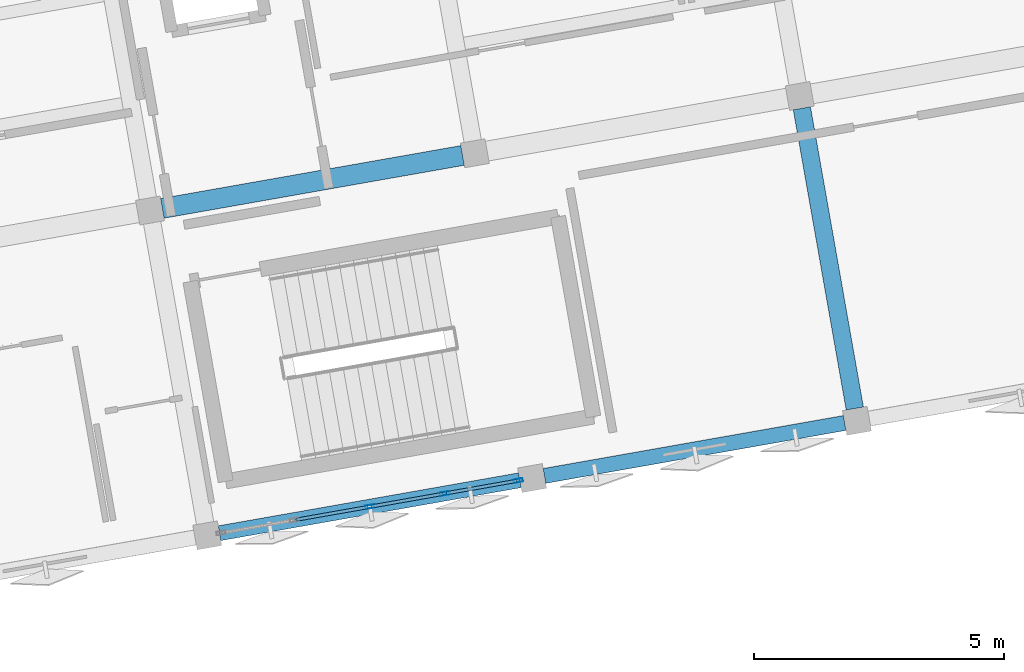
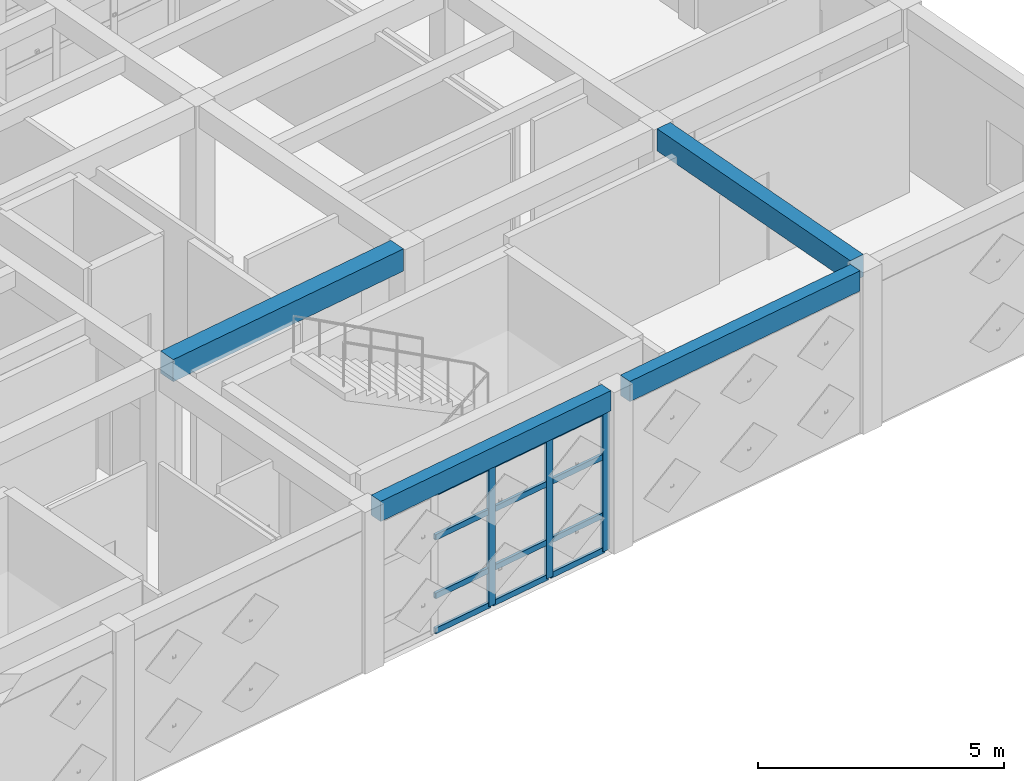
# One storey, part 4 of 15: 15 members, 4 beams, 1 element without a shape of its own.
"""IFC4 building model written with IfcOpenShell, lengths in metres."""

from ifc_helpers import new_model, si_unit, direction, frame, origin, origin_2d, place, context, subcontext, project, spatial, rectangle, hollow_rectangle, extrude, material, layer, layer_set, material_profile, profile_set, type_object, element, aggregate, save


model = new_model("IFC4")

# Units and contexts
model_context = context("Model", 3, precision=1e-05, world=origin(), true_north=direction((0.0, 1.0)))
body_context = subcontext(model_context, "Body", "Model", "MODEL_VIEW")
ifc_project = project(units=[si_unit("LENGTHUNIT", "METRE"), si_unit("AREAUNIT", "SQUARE_METRE"), si_unit("VOLUMEUNIT", "CUBIC_METRE"), si_unit("PLANEANGLEUNIT", "RADIAN"), si_unit("MASSUNIT", "GRAM", prefix="KILO")], contexts=[model_context])

# Site, building, storey
site_placement = place(None, origin())
site = spatial("IfcSite", under=ifc_project, at=site_placement, CompositionType="ELEMENT")
building_placement = place(site_placement, origin())
building = spatial("IfcBuilding", under=site, at=building_placement, Name="Kharisveld Research Institute", CompositionType="ELEMENT")
storey_placement = place(building_placement, frame((0.0, 0.0, 40.800048828125)))
storey = spatial("IfcBuildingStorey", under=building, at=storey_placement, Name="L09", CompositionType="ELEMENT", Elevation=40.800048828125)

# Beams
ifc_material_1 = material(Name="Concrete C40/50", Category="concrete")
ifc_material_profile_1 = material_profile(ifc_material_1, rectangle(XDim=0.35009765625, YDim=0.550048828125, at=origin_2d()))
ifc_profile_set_1 = profile_set([ifc_material_profile_1], Name="Concrete C40/50")
beam_type_1 = type_object("IfcBeamType", Name="BM_RC_350x550", PredefinedType="BEAM", material=ifc_profile_set_1)
beam_1_placement = place(storey_placement, frame((31.155517578125, 39.840576171875, 3.73486328125), z_axis=(-0.173659757005, 0.984805711192, 0.0), x_axis=(-0.984805711192, -0.173659757005, 0.0)))
element("IfcBeam", 1, at=beam_1_placement, inside=storey, type_object=beam_type_1, Name="BM:V1:L09:V4_0", PredefinedType="BEAM", context=body_context, shape_type="SweptSolid", body=[
    extrude(rectangle(XDim=0.35009765625, YDim=0.550048828125, at=origin_2d()), origin(), (0.0, 0.0, 1.0), 6.10009765625),
])
ifc_material_2 = material(Name="Concrete C40/50", Category="concrete")
ifc_material_profile_2 = material_profile(ifc_material_2, rectangle(XDim=0.39990234375, YDim=0.550048828125, at=origin_2d()))
ifc_profile_set_2 = profile_set([ifc_material_profile_2], Name="Concrete C40/50")
beam_type_2 = type_object("IfcBeamType", Name="BM_RC_400x550", PredefinedType="BEAM", material=ifc_profile_set_2)
beam_2_placement = place(storey_placement, frame((17.299560546875, 43.84521484375, 3.73486328125), z_axis=(0.984805711192, 0.173659757005, 0.0), x_axis=(-0.173659757005, 0.984805711192, 0.0)))
element("IfcBeam", 2, at=beam_2_placement, inside=storey, type_object=beam_type_2, Name="BM:V1:L09:U2_1", PredefinedType="BEAM", context=body_context, shape_type="SweptSolid", body=[
    extrude(rectangle(XDim=0.39990234375, YDim=0.550048828125, at=origin_2d()), origin(), (0.0, 0.0, 1.0), 6.10009765625),
])

# Curtain wall, members
ifc_material_3 = material(Name="Thermally Broken Aluminium Curtain Wall", Category="aluminium")
ifc_layer = layer(ifc_material_3, 0.159912109375)
ifc_layer_set = layer_set([ifc_layer], Name="CW_SYS_04")
curtain_wall_type = type_object("IfcCurtainWallType", Name="CW_SYS_04", PredefinedType="NOTDEFINED", material=ifc_layer_set)
curtain_wall_placement = place(storey_placement, origin())
curtain_wall = element("IfcCurtainWall", 3, at=curtain_wall_placement, inside=storey, type_object=curtain_wall_type, Name="CW:V1:L09:S3", PredefinedType="NOTDEFINED")
ifc_material_4 = material(Name="Anodised Aluminium AW-6063-T6", Category="aluminium")
ifc_material_profile_3 = material_profile(ifc_material_4, hollow_rectangle(XDim=0.070068359375, YDim=0.179931640625, WallThickness=0.00439453125, at=origin_2d()))
ifc_profile_set_3 = profile_set([ifc_material_profile_3], Name="Anodised Aluminium AW-6063-T6")
member_type_1 = type_object("IfcMemberType", Name="CW_MUL_180", PredefinedType="MULLION", material=ifc_profile_set_3)
member_1_placement = place(storey_placement, frame((24.42333984375, 38.399658203125, 0.0), z_axis=(0.0, 0.0, 1.0), x_axis=(0.173648102039, -0.984807766347, 0.0)))
member_1 = element("IfcMember", 4, at=member_1_placement, type_object=member_type_1, Name="CW-04 mullion 1", PredefinedType="MULLION", context=body_context, shape_type="SweptSolid", body=[
    extrude(hollow_rectangle(XDim=0.070068359375, YDim=0.179931640625, WallThickness=0.00439453125, at=origin_2d()), origin(), (0.0, 0.0, 1.0), 3.47998046875),
])
member_2_placement = place(storey_placement, frame((22.95361328125, 38.140380859375, 0.0), z_axis=(0.0, 0.0, 1.0), x_axis=(0.173648102039, -0.984807766347, 0.0)))
member_2 = element("IfcMember", 5, at=member_2_placement, type_object=member_type_1, Name="CW-04 mullion 2", PredefinedType="MULLION", context=body_context, shape_type="SweptSolid", body=[
    extrude(hollow_rectangle(XDim=0.070068359375, YDim=0.179931640625, WallThickness=0.00439453125, at=origin_2d()), origin(), (0.0, 0.0, 1.0), 3.47998046875),
])
member_3_placement = place(storey_placement, frame((21.44921875, 37.875244140625, 0.0), z_axis=(0.0, 0.0, 1.0), x_axis=(0.173648102039, -0.984807766347, 0.0)))
member_3 = element("IfcMember", 6, at=member_3_placement, type_object=member_type_1, Name="CW-04 mullion 3", PredefinedType="MULLION", context=body_context, shape_type="SweptSolid", body=[
    extrude(hollow_rectangle(XDim=0.070068359375, YDim=0.179931640625, WallThickness=0.00439453125, at=origin_2d()), origin(), (0.0, 0.0, 1.0), 3.47998046875),
])
ifc_material_5 = material(Name="Anodised Aluminium AW-6063-T6", Category="aluminium")
ifc_material_profile_4 = material_profile(ifc_material_5, hollow_rectangle(XDim=0.06494140625, YDim=0.139892578125, WallThickness=0.00390625, at=origin_2d()))
ifc_profile_set_4 = profile_set([ifc_material_profile_4], Name="Anodised Aluminium AW-6063-T6")
member_type_2 = type_object("IfcMemberType", Name="CW_TRN_140", PredefinedType="USERDEFINED", material=ifc_profile_set_4)
member_4_placement = place(storey_placement, frame((24.388916015625, 38.3935546875, 0.032470703125), z_axis=(-0.984800831926, -0.173687424522, 0.0), x_axis=(0.173687424522, -0.984800831926, 0.0)))
member_4 = element("IfcMember", 7, at=member_4_placement, type_object=member_type_2, Name="CW-04 transom 1.1", ObjectType="TRANSOM", PredefinedType="USERDEFINED", context=body_context, shape_type="SweptSolid", body=[
    extrude(hollow_rectangle(XDim=0.06494140625, YDim=0.139892578125, WallThickness=0.00390625, at=origin_2d()), origin(), (0.0, 0.0, 1.0), 1.422607421875),
])
member_5_placement = place(storey_placement, frame((24.388916015625, 38.3935546875, 0.89990234375), z_axis=(-0.984800831926, -0.173687424522, 0.0), x_axis=(0.173687424522, -0.984800831926, 0.0)))
member_5 = element("IfcMember", 8, at=member_5_placement, type_object=member_type_2, Name="CW-04 transom 1.2", ObjectType="TRANSOM", PredefinedType="USERDEFINED", context=body_context, shape_type="SweptSolid", body=[
    extrude(hollow_rectangle(XDim=0.06494140625, YDim=0.139892578125, WallThickness=0.00390625, at=origin_2d()), origin(), (0.0, 0.0, 1.0), 1.422607421875),
])
member_6_placement = place(storey_placement, frame((24.388916015625, 38.3935546875, 2.349853515625), z_axis=(-0.984800831926, -0.173687424522, 0.0), x_axis=(0.173687424522, -0.984800831926, 0.0)))
member_6 = element("IfcMember", 9, at=member_6_placement, type_object=member_type_2, Name="CW-04 transom 1.3", ObjectType="TRANSOM", PredefinedType="USERDEFINED", context=body_context, shape_type="SweptSolid", body=[
    extrude(hollow_rectangle(XDim=0.06494140625, YDim=0.139892578125, WallThickness=0.00390625, at=origin_2d()), origin(), (0.0, 0.0, 1.0), 1.422607421875),
])
member_7_placement = place(storey_placement, frame((24.388916015625, 38.3935546875, 3.447509765625), z_axis=(-0.984800831926, -0.173687424522, 0.0), x_axis=(0.173687424522, -0.984800831926, 0.0)))
member_7 = element("IfcMember", 10, at=member_7_placement, type_object=member_type_2, Name="CW-04 transom 1.4", ObjectType="TRANSOM", PredefinedType="USERDEFINED", context=body_context, shape_type="SweptSolid", body=[
    extrude(hollow_rectangle(XDim=0.06494140625, YDim=0.139892578125, WallThickness=0.00390625, at=origin_2d()), origin(), (0.0, 0.0, 1.0), 1.422607421875),
])
member_8_placement = place(storey_placement, frame((22.919189453125, 38.13427734375, 0.032470703125), z_axis=(-0.984825689868, -0.17354642196, 0.0), x_axis=(0.17354642196, -0.984825689868, 0.0)))
member_8 = element("IfcMember", 11, at=member_8_placement, type_object=member_type_2, Name="CW-04 transom 2.1", ObjectType="TRANSOM", PredefinedType="USERDEFINED", context=body_context, shape_type="SweptSolid", body=[
    extrude(hollow_rectangle(XDim=0.06494140625, YDim=0.139892578125, WallThickness=0.00390625, at=origin_2d()), origin(), (0.0, 0.0, 1.0), 1.45751953125),
])
member_9_placement = place(storey_placement, frame((22.919189453125, 38.13427734375, 0.89990234375), z_axis=(-0.984825689868, -0.17354642196, 0.0), x_axis=(0.17354642196, -0.984825689868, 0.0)))
member_9 = element("IfcMember", 12, at=member_9_placement, type_object=member_type_2, Name="CW-04 transom 2.2", ObjectType="TRANSOM", PredefinedType="USERDEFINED", context=body_context, shape_type="SweptSolid", body=[
    extrude(hollow_rectangle(XDim=0.06494140625, YDim=0.139892578125, WallThickness=0.00390625, at=origin_2d()), origin(), (0.0, 0.0, 1.0), 1.45751953125),
])
member_10_placement = place(storey_placement, frame((22.919189453125, 38.13427734375, 2.349853515625), z_axis=(-0.984825689868, -0.17354642196, 0.0), x_axis=(0.17354642196, -0.984825689868, 0.0)))
member_10 = element("IfcMember", 13, at=member_10_placement, type_object=member_type_2, Name="CW-04 transom 2.3", ObjectType="TRANSOM", PredefinedType="USERDEFINED", context=body_context, shape_type="SweptSolid", body=[
    extrude(hollow_rectangle(XDim=0.06494140625, YDim=0.139892578125, WallThickness=0.00390625, at=origin_2d()), origin(), (0.0, 0.0, 1.0), 1.45751953125),
])
member_11_placement = place(storey_placement, frame((22.919189453125, 38.13427734375, 3.447509765625), z_axis=(-0.984825689868, -0.17354642196, 0.0), x_axis=(0.17354642196, -0.984825689868, 0.0)))
member_11 = element("IfcMember", 14, at=member_11_placement, type_object=member_type_2, Name="CW-04 transom 2.4", ObjectType="TRANSOM", PredefinedType="USERDEFINED", context=body_context, shape_type="SweptSolid", body=[
    extrude(hollow_rectangle(XDim=0.06494140625, YDim=0.139892578125, WallThickness=0.00390625, at=origin_2d()), origin(), (0.0, 0.0, 1.0), 1.45751953125),
])
member_12_placement = place(storey_placement, frame((21.414794921875, 37.869140625, 0.032470703125), z_axis=(-0.984797046668, -0.173708885422, 0.0), x_axis=(0.173708885422, -0.984797046668, 0.0)))
member_12 = element("IfcMember", 15, at=member_12_placement, type_object=member_type_2, Name="CW-04 transom 3.1", ObjectType="TRANSOM", PredefinedType="USERDEFINED", context=body_context, shape_type="SweptSolid", body=[
    extrude(hollow_rectangle(XDim=0.06494140625, YDim=0.139892578125, WallThickness=0.00390625, at=origin_2d()), origin(), (0.0, 0.0, 1.0), 1.45751953125),
])
member_13_placement = place(storey_placement, frame((21.414794921875, 37.869140625, 0.89990234375), z_axis=(-0.984797046668, -0.173708885422, 0.0), x_axis=(0.173708885422, -0.984797046668, 0.0)))
member_13 = element("IfcMember", 16, at=member_13_placement, type_object=member_type_2, Name="CW-04 transom 3.2", ObjectType="TRANSOM", PredefinedType="USERDEFINED", context=body_context, shape_type="SweptSolid", body=[
    extrude(hollow_rectangle(XDim=0.06494140625, YDim=0.139892578125, WallThickness=0.00390625, at=origin_2d()), origin(), (0.0, 0.0, 1.0), 1.45751953125),
])
member_14_placement = place(storey_placement, frame((21.414794921875, 37.869140625, 2.349853515625), z_axis=(-0.984797046668, -0.173708885422, 0.0), x_axis=(0.173708885422, -0.984797046668, 0.0)))
member_14 = element("IfcMember", 17, at=member_14_placement, type_object=member_type_2, Name="CW-04 transom 3.3", ObjectType="TRANSOM", PredefinedType="USERDEFINED", context=body_context, shape_type="SweptSolid", body=[
    extrude(hollow_rectangle(XDim=0.06494140625, YDim=0.139892578125, WallThickness=0.00390625, at=origin_2d()), origin(), (0.0, 0.0, 1.0), 1.45751953125),
])
member_15_placement = place(storey_placement, frame((21.414794921875, 37.869140625, 3.447509765625), z_axis=(-0.984797046668, -0.173708885422, 0.0), x_axis=(0.173708885422, -0.984797046668, 0.0)))
member_15 = element("IfcMember", 18, at=member_15_placement, type_object=member_type_2, Name="CW-04 transom 3.4", ObjectType="TRANSOM", PredefinedType="USERDEFINED", context=body_context, shape_type="SweptSolid", body=[
    extrude(hollow_rectangle(XDim=0.06494140625, YDim=0.139892578125, WallThickness=0.00390625, at=origin_2d()), origin(), (0.0, 0.0, 1.0), 1.45751953125),
])
aggregate(curtain_wall, [member_1, member_2, member_3, member_4, member_5, member_6, member_7, member_8, member_9, member_10, member_11, member_12, member_13, member_14, member_15])

# Beams
ifc_material_6 = material(Name="Concrete C40/50", Category="concrete")
ifc_material_profile_5 = material_profile(ifc_material_6, rectangle(XDim=0.300048828125, YDim=0.5, at=origin_2d()))
ifc_profile_set_5 = profile_set([ifc_material_profile_5], Name="Concrete C40/50")
beam_type_3 = type_object("IfcBeamType", Name="SP_RC_300x500", PredefinedType="SPANDREL", material=ifc_profile_set_5)
beam_3_placement = place(storey_placement, frame((18.445556640625, 37.345458984375, 3.760009765625), z_axis=(0.984805711192, 0.173659757005, 0.0), x_axis=(-0.173659757005, 0.984805711192, 0.0)))
element("IfcBeam", 19, at=beam_3_placement, inside=storey, type_object=beam_type_3, Name="BM:V1:L09:U2_0", PredefinedType="SPANDREL", context=body_context, shape_type="SweptSolid", body=[
    extrude(rectangle(XDim=0.300048828125, YDim=0.5, at=origin_2d()), origin(), (0.0, 0.0, 1.0), 6.10009765625),
])
beam_4_placement = place(storey_placement, frame((24.9453125, 38.49169921875, 3.760009765625), z_axis=(0.984812555252, 0.173620940611, 0.0), x_axis=(-0.173620940611, 0.984812555252, 0.0)))
element("IfcBeam", 20, at=beam_4_placement, inside=storey, type_object=beam_type_3, Name="BM:V1:L09:U3_0", PredefinedType="SPANDREL", context=body_context, shape_type="SweptSolid", body=[
    extrude(rectangle(XDim=0.300048828125, YDim=0.5, at=origin_2d()), origin(), (0.0, 0.0, 1.0), 6.099853515625),
])

save(model, "model.ifc")
